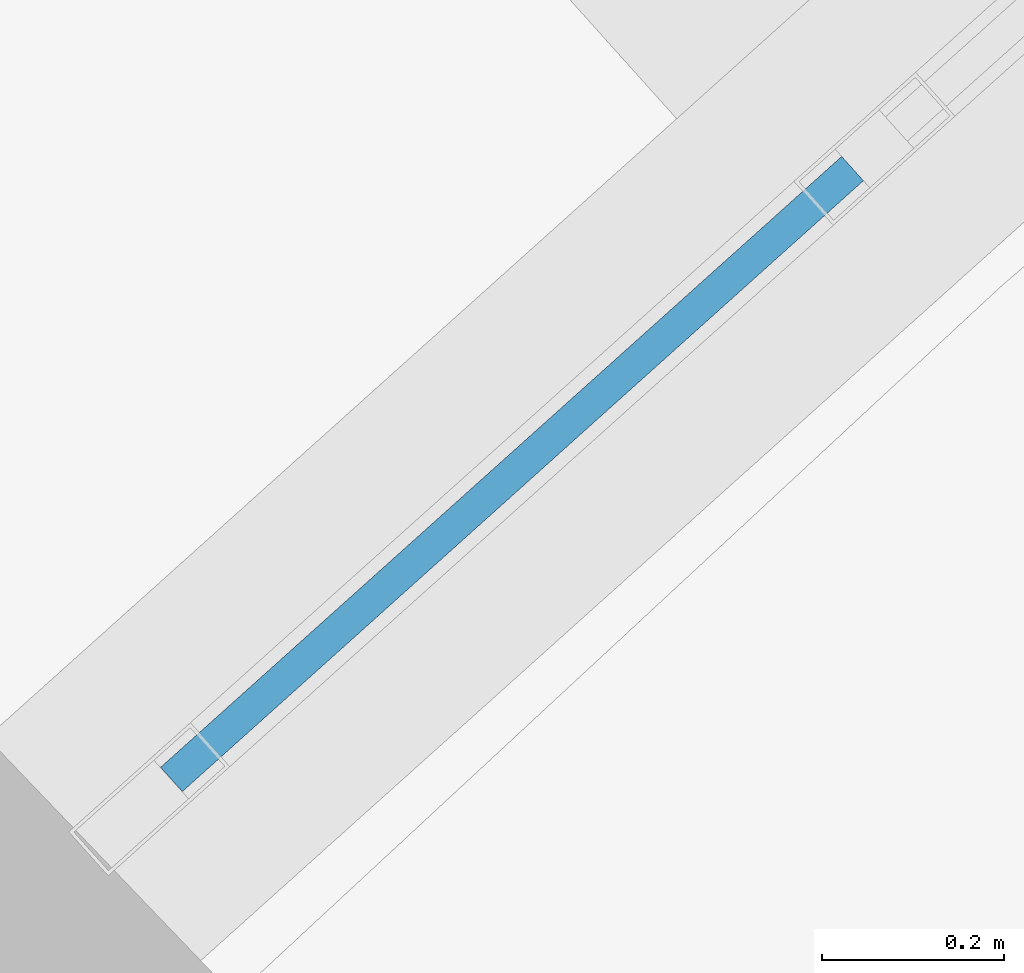
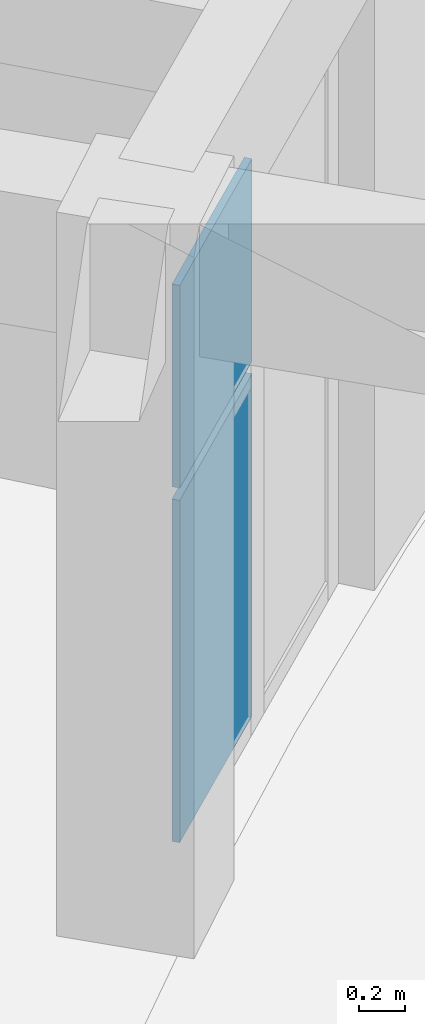
# One storey, part 71 of 128: 2 plates, 1 element without a shape of its own.
"""IFC4 building model written with IfcOpenShell, lengths in metres."""

from ifc_helpers import new_model, si_unit, direction, frame, origin, origin_2d, place, context, subcontext, project, spatial, rectangle, extrude, material, layer, layer_set, type_object, element, aggregate, save


model = new_model("IFC4")

# Units and contexts
model_context = context("Model", 3, precision=1e-05, world=origin(), true_north=direction((0.0, 1.0)))
body_context = subcontext(model_context, "Body", "Model", "MODEL_VIEW")
ifc_project = project(units=[si_unit("LENGTHUNIT", "METRE"), si_unit("AREAUNIT", "SQUARE_METRE"), si_unit("VOLUMEUNIT", "CUBIC_METRE"), si_unit("PLANEANGLEUNIT", "RADIAN"), si_unit("MASSUNIT", "GRAM", prefix="KILO")], contexts=[model_context])

# Site, building, storey
site_placement = place(None, origin())
site = spatial("IfcSite", under=ifc_project, at=site_placement, CompositionType="ELEMENT")
building_placement = place(site_placement, origin())
building = spatial("IfcBuilding", under=site, at=building_placement, Name="Tanwirah Colonnade Gardens", CompositionType="ELEMENT")
storey_placement = place(building_placement, frame((0.0, 0.0, 4.760009765625)))
storey = spatial("IfcBuildingStorey", under=building, at=storey_placement, Name="L01", CompositionType="ELEMENT", Elevation=4.760009765625)

# Curtain wall, plates
ifc_material_1 = material(Name="Bronze-anodised aluminium and solar-control low-E glass", Category="aluminium")
curtain_wall_type = type_object("IfcCurtainWallType", Name="CW-GDN", PredefinedType="NOTDEFINED", material=ifc_material_1)
curtain_wall_placement = place(storey_placement, origin())
curtain_wall = element("IfcCurtainWall", 1, at=curtain_wall_placement, inside=storey, type_object=curtain_wall_type, Name="Curtain Wall CW-A-L01-IN-09", PredefinedType="NOTDEFINED")
ifc_material_2 = material(Name="Insulated bronze aluminium spandrel panel", Category="aluminium")
ifc_layer = layer(ifc_material_2, 0.035888671875)
ifc_layer_set = layer_set([ifc_layer], Name="Insulated bronze aluminium spandrel panel")
plate_type = type_object("IfcPlateType", Name="CWP-SPN36", PredefinedType="CURTAIN_PANEL", material=ifc_layer_set)
plate_1_placement = place(storey_placement, frame((34.938232421875, 92.914306640625, 0.06494140625), z_axis=(0.0, 0.0, 1.0), x_axis=(-0.744440162253, -0.667689182798, 0.0)))
plate_1 = element("IfcPlate", 2, at=plate_1_placement, type_object=plate_type, Name="CW-GDN panel 2.1", PredefinedType="CURTAIN_PANEL", context=body_context, shape_type="SweptSolid", body=[
    extrude(rectangle(XDim=1.007568359375, YDim=0.035888671875, at=origin_2d()), origin(), (0.0, 0.0, 1.0), 1.80908203125),
])
plate_2_placement = place(storey_placement, frame((34.938232421875, 92.914306640625, 1.93896484375), z_axis=(0.0, 0.0, 1.0), x_axis=(-0.744440162253, -0.667689182798, 0.0)))
plate_2 = element("IfcPlate", 3, at=plate_2_placement, type_object=plate_type, Name="CW-GDN panel 2.2", PredefinedType="CURTAIN_PANEL", context=body_context, shape_type="SweptSolid", body=[
    extrude(rectangle(XDim=1.007568359375, YDim=0.035888671875, at=origin_2d()), origin(), (0.0, 0.0, 1.0), 1.071044921875),
])
aggregate(curtain_wall, [plate_1, plate_2])

save(model, "model.ifc")
